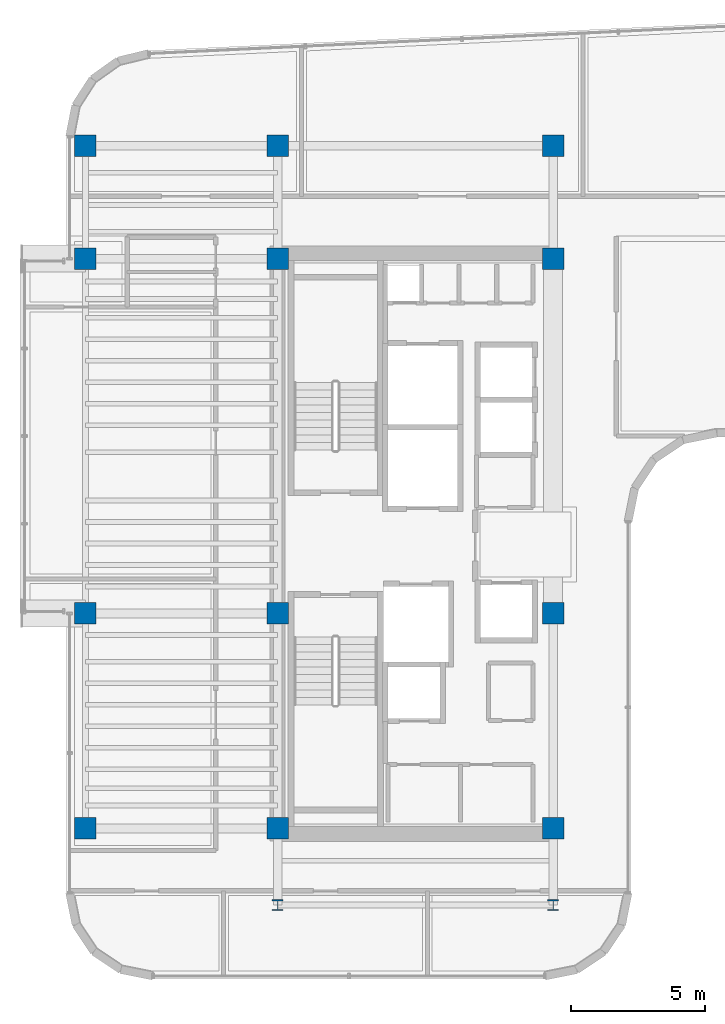
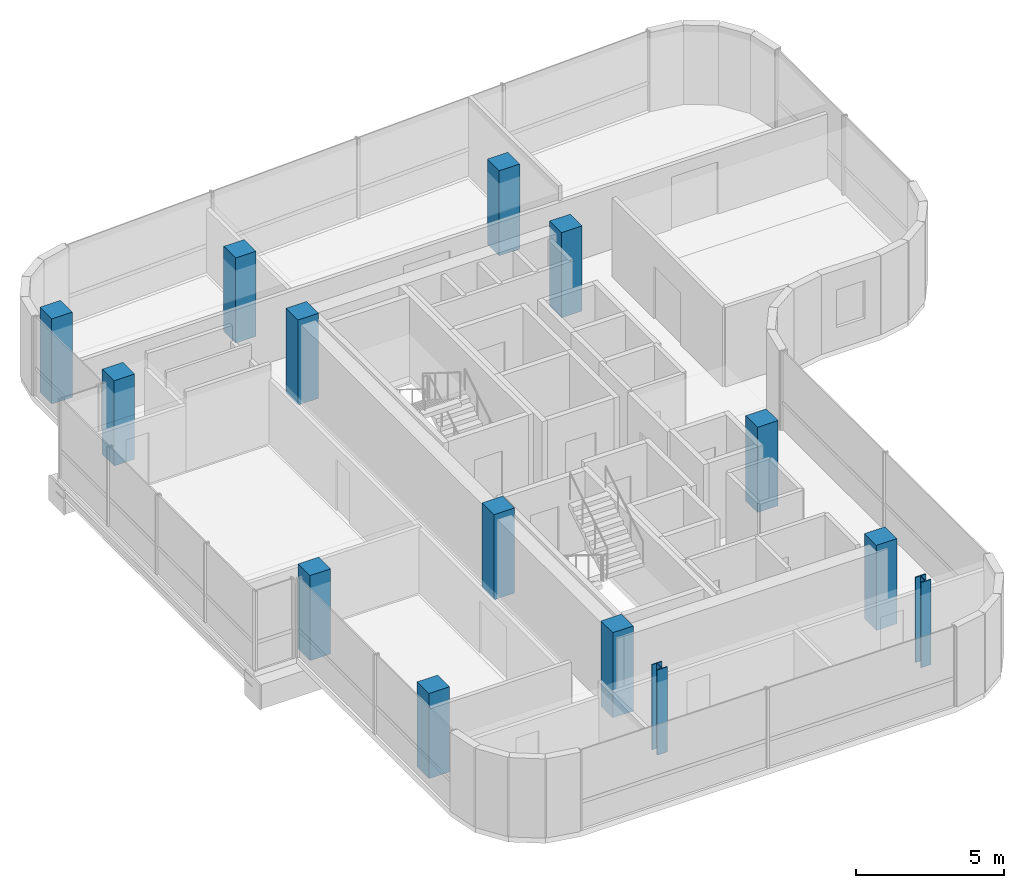
# One storey, part 1 of 18: 14 columns.
"""IFC4 building model written with IfcOpenShell, lengths in metres."""

from ifc_helpers import new_model, si_unit, direction, frame, origin, origin_2d, place, context, subcontext, project, spatial, rectangle, i_section, extrude, source, transform, mapped, material, material_profile, profile_set, type_object, element, save


model = new_model("IFC4")

# Units and contexts
model_context = context("Model", 3, precision=1e-05, world=origin(), true_north=direction((0.0, 1.0)))
body_context = subcontext(model_context, "Body", "Model", "MODEL_VIEW")
ifc_project = project(units=[si_unit("LENGTHUNIT", "METRE"), si_unit("AREAUNIT", "SQUARE_METRE"), si_unit("VOLUMEUNIT", "CUBIC_METRE"), si_unit("PLANEANGLEUNIT", "RADIAN"), si_unit("MASSUNIT", "GRAM", prefix="KILO")], contexts=[model_context])

# Site, building, storey
site_placement = place(None, origin())
site = spatial("IfcSite", under=ifc_project, at=site_placement, CompositionType="ELEMENT")
building_placement = place(site_placement, origin())
building = spatial("IfcBuilding", under=site, at=building_placement, Name="Valdorenza Pilgrim Sanctuary Tower", CompositionType="ELEMENT")
storey_placement = place(building_placement, frame((0.0, 0.0, 273.0)))
storey = spatial("IfcBuildingStorey", under=building, at=storey_placement, Name="L71", CompositionType="ELEMENT", Elevation=273.0)

# Columns
ifc_material_1 = material(Name="Concrete C50/60", Category="concrete")
ifc_material_profile_1 = material_profile(ifc_material_1, rectangle(XDim=0.800048828125, YDim=0.800048828125, at=origin_2d()), Name="RC 800x800")
ifc_profile_set_1 = profile_set([ifc_material_profile_1], Name="Concrete C50/60")
column_type_1 = type_object("IfcColumnType", Name="COL-Z4B-800", PredefinedType="COLUMN", material=ifc_profile_set_1)
shared_shape_1 = source(origin(), body_context, "Body", "SweptSolid", [
    extrude(rectangle(XDim=0.800048828125, YDim=0.800048828125, at=origin_2d()), origin(), (0.0, 0.0, 1.0), 3.5),
])
for number, where, z_axis, x_axis, name in (
    (1, (-29.800048828125, -10.60009765625, 0.0), (0.0, 0.0, 1.0), (1.0, 0.0, 0.0), "L71 Perimeter Column WA-W-S1"),
    (2, (-22.64990234375, -10.60009765625, 0.0), (0.0, 0.0, 1.0), (1.0, 0.0, 0.0), "L71 Column CA-W-S1"),
    (3, (-12.39990234375, -10.60009765625, 0.0), (0.0, 0.0, 1.0), (1.0, 0.0, 0.0), "L71 Column CA-E-S1"),
    (4, (-29.800048828125, -2.60009765625, 0.0), (0.0, 0.0, 1.0), (1.0, 0.0, 0.0), "L71 Perimeter Column WA-W-M0"),
    (5, (-22.64990234375, -2.60009765625, 0.0), (0.0, 0.0, 1.0), (1.0, 0.0, 0.0), "L71 Column CA-W-M0"),
    (6, (-12.39990234375, -2.60009765625, 0.0), (0.0, 0.0, 1.0), (1.0, 0.0, 0.0), "L71 Column CA-E-M0"),
    (7, (-29.800048828125, 10.60009765625, 0.0), (0.0, 0.0, 1.0), (1.0, 0.0, 0.0), "L71 Perimeter Column WA-W-N1"),
    (8, (-22.64990234375, 10.60009765625, 0.0), (0.0, 0.0, 1.0), (1.0, 0.0, 0.0), "L71 Column CA-W-N1"),
    (9, (-12.39990234375, 10.60009765625, 0.0), (0.0, 0.0, 1.0), (1.0, 0.0, 0.0), "L71 Column CA-E-N1"),
    (10, (-29.800048828125, 14.800048828125, 0.0), (0.0, 0.0, 1.0), (1.0, 0.0, 0.0), "L71 Perimeter Column WA-W-N2"),
    (11, (-22.64990234375, 14.800048828125, 0.0), (0.0, 0.0, 1.0), (1.0, 0.0, 0.0), "L71 Column CA-W-N2"),
    (12, (-12.39990234375, 14.800048828125, 0.0), (0.0, 0.0, 1.0), (1.0, 0.0, 0.0), "L71 Column CA-E-N2"),
):
    element("IfcColumn", number, at=place(storey_placement, frame(where, z_axis=z_axis, x_axis=x_axis)), inside=storey, type_object=column_type_1, Name=name, PredefinedType="COLUMN", context=body_context, shape_type="MappedRepresentation", body=[
        mapped(shared_shape_1, transform((0.0, 0.0, 0.0), x_axis=(1.0, 0.0, 0.0), y_axis=(0.0, 1.0, 0.0), z_axis=(0.0, 0.0, 1.0), scale=1.0)),
    ])
ifc_material_2 = material(Name="Steel ASTM A992 Grade 50", Category="steel")
ifc_material_profile_2 = material_profile(ifc_material_2, i_section(OverallWidth=0.40087890625, OverallDepth=0.39892578125, WebThickness=0.02490234375, FlangeThickness=0.03955078125, at=origin_2d()), Name="W14X211")
ifc_profile_set_2 = profile_set([ifc_material_profile_2], Name="Steel ASTM A992 Grade 50")
column_type_2 = type_object("IfcColumnType", Name="COL-STL-W211", PredefinedType="COLUMN", material=ifc_profile_set_2)
shared_shape_2 = source(origin(), body_context, "Body", "SweptSolid", [
    extrude(i_section(OverallWidth=0.40087890625, OverallDepth=0.39892578125, WebThickness=0.02490234375, FlangeThickness=0.03955078125, at=origin_2d()), origin(), (0.0, 0.0, 1.0), 3.5),
])
for number, where, z_axis, x_axis, name in (
    (13, (-22.64990234375, -13.449951171875, 0.0), (0.0, 0.0, 1.0), (1.0, 0.0, 0.0), "L71 Column WA-S-W"),
    (14, (-12.39990234375, -13.449951171875, 0.0), (0.0, 0.0, 1.0), (1.0, 0.0, 0.0), "L71 Column WA-S-E"),
):
    element("IfcColumn", number, at=place(storey_placement, frame(where, z_axis=z_axis, x_axis=x_axis)), inside=storey, type_object=column_type_2, Name=name, PredefinedType="COLUMN", context=body_context, shape_type="MappedRepresentation", body=[
        mapped(shared_shape_2, transform((0.0, 0.0, 0.0), x_axis=(1.0, 0.0, 0.0), y_axis=(0.0, 1.0, 0.0), z_axis=(0.0, 0.0, 1.0), scale=1.0)),
    ])

save(model, "model.ifc")
